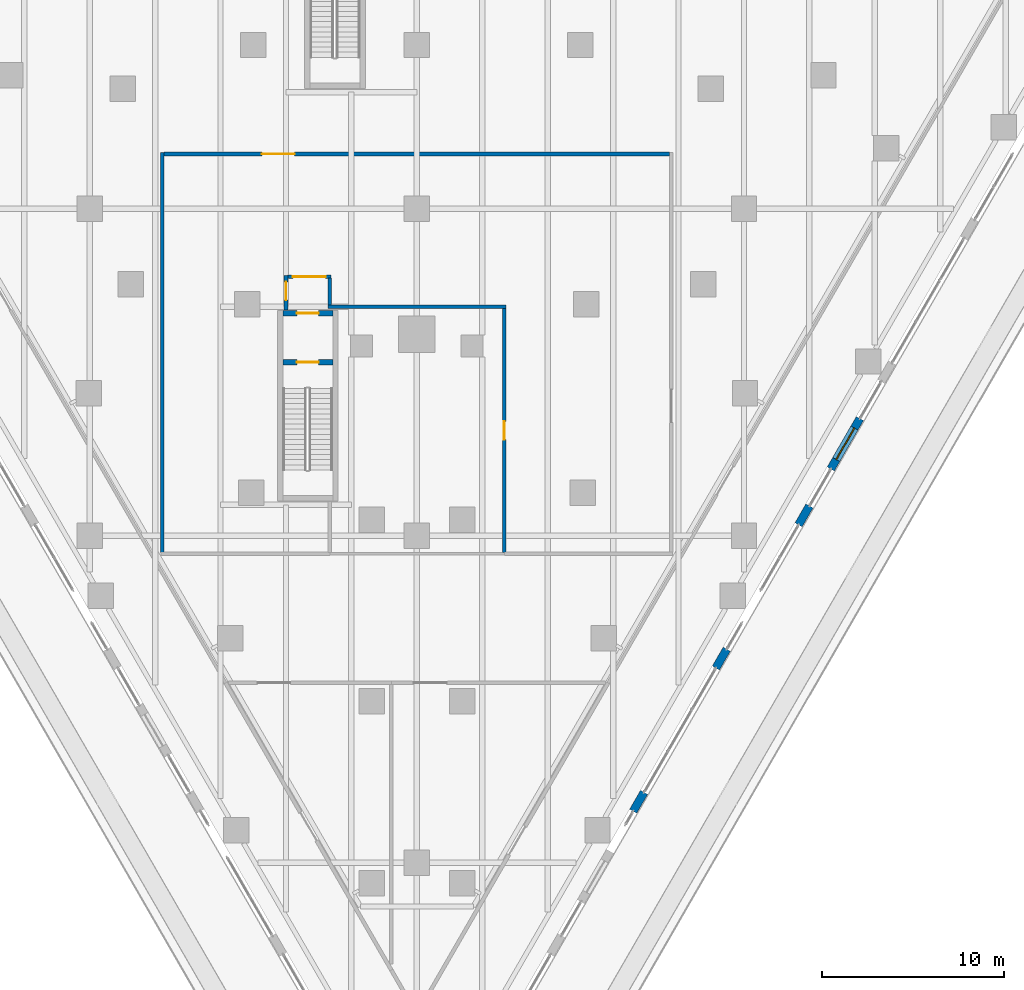
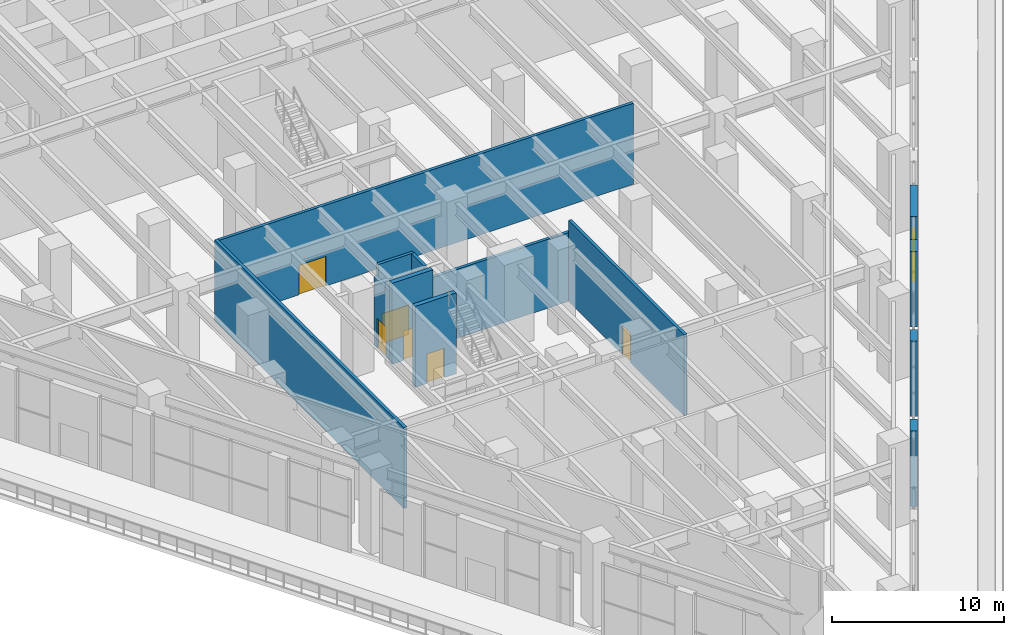
# One storey, part 29 of 40: 13 walls, 7 doors, 7 openings.
"""IFC4 building model written with IfcOpenShell, lengths in metres."""

from ifc_helpers import new_model, si_unit, direction, frame, frame_2d, origin, place, context, subcontext, project, spatial, rectangle, extrude, material, layer, layer_set, type_object, element, fill, save


model = new_model("IFC4")

# Units and contexts
model_context = context("Model", 3, precision=1e-05, world=origin(), true_north=direction((0.0, 1.0)))
body_context = subcontext(model_context, "Body", "Model", "MODEL_VIEW")
ifc_project = project(units=[si_unit("LENGTHUNIT", "METRE"), si_unit("AREAUNIT", "SQUARE_METRE"), si_unit("VOLUMEUNIT", "CUBIC_METRE"), si_unit("PLANEANGLEUNIT", "RADIAN"), si_unit("MASSUNIT", "GRAM", prefix="KILO")], contexts=[model_context])

# Site, building, storey
site_placement = place(None, origin())
site = spatial("IfcSite", under=ifc_project, at=site_placement, CompositionType="ELEMENT")
building_placement = place(site_placement, origin())
building = spatial("IfcBuilding", under=site, at=building_placement, Name="Aloe Facet Convention Tower", CompositionType="ELEMENT")
storey_placement = place(building_placement, frame((0.0, 0.0, 13.5)))
storey = spatial("IfcBuildingStorey", under=building, at=storey_placement, Name="L02", CompositionType="ELEMENT", Elevation=13.5)

# Wall, opening, door
ifc_material_1 = material(Name="Concrete C50/60", Category="concrete")
ifc_layer_1 = layer(ifc_material_1, 0.300048828125)
ifc_layer_set_1 = layer_set([ifc_layer_1], Name="CR-W-RC300-C5060")
wall_type_1 = type_object("IfcWallType", Name="CR-W-RC300-C5060", PredefinedType="SOLIDWALL", material=ifc_layer_set_1)
wall_1_placement = place(storey_placement, frame((72.625, 90.550048828125, 0.0), z_axis=(0.0, 0.0, 1.0), x_axis=(1.0, 0.0, 0.0)))
wall_1 = element("IfcWall", 1, at=wall_1_placement, inside=storey, type_object=wall_type_1, Name="Exit stair wall L02-04", PredefinedType="SOLIDWALL", context=body_context, shape_type="SweptSolid", body=[
    extrude(rectangle(XDim=2.75, YDim=0.300048828125, at=frame_2d((1.375, 0.0))), origin(), (0.0, 0.0, 1.0), 5.75),
])
opening_1_placement = place(wall_1_placement, frame((0.77490234375, 0.0, 0.0)))
opening_1 = element("IfcOpeningElement", 2, at=opening_1_placement, cuts=wall_1, Name="Opening L02-ST4-01", PredefinedType="OPENING", context=body_context, shape_type="SweptSolid", body=[
    extrude(rectangle(XDim=1.199951171875, YDim=2.10009765625, at=frame_2d((0.60009765625, 1.050048828125))), frame((0.0, 0.16015625, 0.0), z_axis=(0.0, -1.0, 0.0), x_axis=(1.0, 0.0, 0.0)), (0.0, 0.0, 1.0), 0.320068359375),
])
ifc_material_2 = material(Name="Steel fire-resisting door set FD120", Category="steel")
door_type_1 = type_object("IfcDoorType", Name="CR-D-STAIR-1200-FD120-SLEFT", OperationType="SINGLE_SWING_LEFT", PredefinedType="DOOR", material=ifc_material_2)
door_1_placement = place(opening_1_placement, origin())
door_1 = element("IfcDoor", 3, at=door_1_placement, inside=storey, type_object=door_type_1, Name="Stair door L02-ST4-01", OperationType="SINGLE_SWING_LEFT", OverallHeight=2.10009765625, OverallWidth=1.199951171875, PredefinedType="DOOR", context=body_context, shape_type="SweptSolid", body=[
    extrude(rectangle(XDim=1.199951171875, YDim=2.10009765625, at=frame_2d((0.60009765625, 1.050048828125))), frame((0.0, 0.02490234375, 0.0), z_axis=(0.0, -1.0, 0.0), x_axis=(1.0, 0.0, 0.0)), (0.0, 0.0, 1.0), 0.050048828125),
])
fill(opening_1, door_1)

wall_2_placement = place(storey_placement, frame((72.625, 93.25, 0.0), z_axis=(0.0, 0.0, 1.0), x_axis=(1.0, 0.0, 0.0)))
wall_2 = element("IfcWall", 4, at=wall_2_placement, inside=storey, type_object=wall_type_1, Name="Exit stair wall L02-05", PredefinedType="SOLIDWALL", context=body_context, shape_type="SweptSolid", body=[
    extrude(rectangle(XDim=2.75, YDim=0.300048828125, at=frame_2d((1.375, 0.0))), origin(), (0.0, 0.0, 1.0), 5.75),
])
opening_2_placement = place(wall_2_placement, frame((0.77490234375, 0.0, 0.0)))
opening_2 = element("IfcOpeningElement", 5, at=opening_2_placement, cuts=wall_2, Name="Opening L02-ST4-02", PredefinedType="OPENING", context=body_context, shape_type="SweptSolid", body=[
    extrude(rectangle(XDim=1.199951171875, YDim=2.10009765625, at=frame_2d((0.60009765625, 1.050048828125))), frame((0.0, 0.16015625, 0.0), z_axis=(0.0, -1.0, 0.0), x_axis=(1.0, 0.0, 0.0)), (0.0, 0.0, 1.0), 0.320068359375),
])
ifc_material_3 = material(Name="Steel fire-resisting door set FD60", Category="steel")
door_type_2 = type_object("IfcDoorType", Name="CR-D-EXIT-1200-FD60-SRIGHT", OperationType="SINGLE_SWING_RIGHT", PredefinedType="DOOR", material=ifc_material_3)
door_2_placement = place(opening_2_placement, origin())
door_2 = element("IfcDoor", 6, at=door_2_placement, inside=storey, type_object=door_type_2, Name="Stair lobby door L02-ST4-02", OperationType="SINGLE_SWING_RIGHT", OverallHeight=2.10009765625, OverallWidth=1.199951171875, PredefinedType="DOOR", context=body_context, shape_type="SweptSolid", body=[
    extrude(rectangle(XDim=1.199951171875, YDim=2.10009765625, at=frame_2d((0.60009765625, 1.050048828125))), frame((0.0, 0.02490234375, 0.0), z_axis=(0.0, -1.0, 0.0), x_axis=(1.0, 0.0, 0.0)), (0.0, 0.0, 1.0), 0.050048828125),
])
fill(opening_2, door_2)

# Walls
ifc_material_4 = material(Name="Precast concrete C40/50", Category="concrete")
ifc_layer_2 = layer(ifc_material_4, 0.449951171875)
ifc_layer_set_2 = layer_set([ifc_layer_2], Name="EV-WALL-STONE")
wall_type_2 = type_object("IfcWallType", Name="EV-WALL-STONE", PredefinedType="SOLIDWALL", material=ifc_layer_set_2)
wall_3_placement = place(storey_placement, frame((91.904052734375, 65.8388671875, -0.300048828125), z_axis=(0.0, 0.0, 1.0), x_axis=(0.499969057507, 0.866043267704, 0.0)))
element("IfcWall", 7, at=wall_3_placement, inside=storey, type_object=wall_type_2, Name="PW-L02-E05", PredefinedType="SOLIDWALL", context=body_context, shape_type="SweptSolid", body=[
    extrude(rectangle(XDim=1.19970703125, YDim=0.449951171875, at=frame_2d((0.599853515625, 0.0))), origin(), (0.0, 0.0, 1.0), 5.362548828125),
])
for number, where, z_axis, x_axis, name in (
    (8, (96.453369140625, 73.718505859375, -0.300048828125), (0.0, 0.0, 1.0), (0.500033551112, 0.866006032174, 0.0), "PW-L02-E07"),
    (9, (101.002685546875, 81.598388671875, -0.300048828125), (0.0, 0.0, 1.0), (0.500033551112, 0.866006032174, 0.0), "PW-L02-E09"),
):
    element("IfcWall", number, at=place(storey_placement, frame(where, z_axis=z_axis, x_axis=x_axis)), inside=storey, type_object=wall_type_2, Name=name, PredefinedType="SOLIDWALL", context=body_context, shape_type="SweptSolid", body=[
        extrude(rectangle(XDim=1.2001953125, YDim=0.449951171875, at=frame_2d((0.60009765625, 0.0))), origin(), (0.0, 0.0, 1.0), 5.362548828125),
    ])

# Wall, opening, door
wall_4_placement = place(storey_placement, frame((102.77734375, 84.672119140625, -0.300048828125), z_axis=(0.0, 0.0, 1.0), x_axis=(0.499995408039, 0.866028054938, 0.0)))
wall_4 = element("IfcWall", 10, at=wall_4_placement, inside=storey, type_object=wall_type_2, Name="PW-L02-E10", PredefinedType="SOLIDWALL", context=body_context, shape_type="SweptSolid", body=[
    extrude(rectangle(XDim=3.2001953125, YDim=0.449951171875, at=frame_2d((1.60009765625, 0.0))), origin(), (0.0, 0.0, 1.0), 5.362548828125),
])
opening_3_placement = place(wall_4_placement, frame((0.60009765625, 0.0, 0.300048828125)))
opening_3 = element("IfcOpeningElement", 11, at=opening_3_placement, cuts=wall_4, Name="Opening D-L02-E10", PredefinedType="OPENING", context=body_context, shape_type="SweptSolid", body=[
    extrude(rectangle(XDim=2.0, YDim=2.39990234375, at=frame_2d((1.0, 1.199951171875))), frame((0.0, 0.23486328125, 0.0), z_axis=(0.0, -1.0, 0.0), x_axis=(1.0, 0.0, 0.0)), (0.0, 0.0, 1.0), 0.469970703125),
])
ifc_material_5 = material(Name="Aluminium frame, clear double glazing", Category="aluminium")
door_type_3 = type_object("IfcDoorType", Name="EV-DOOR-HALL", OperationType="DOUBLE_DOOR_SINGLE_SWING", PredefinedType="DOOR", material=ifc_material_5)
door_3_placement = place(opening_3_placement, origin())
door_3 = element("IfcDoor", 12, at=door_3_placement, inside=storey, type_object=door_type_3, Name="D-L02-E10", OperationType="DOUBLE_DOOR_SINGLE_SWING", OverallHeight=2.39990234375, OverallWidth=2.0, PredefinedType="DOOR", context=body_context, shape_type="SweptSolid", body=[
    extrude(rectangle(XDim=2.0, YDim=2.39990234375, at=frame_2d((1.0, 1.199951171875))), frame((0.0, 0.02490234375, 0.0), z_axis=(0.0, -1.0, 0.0), x_axis=(1.0, 0.0, 0.0)), (0.0, 0.0, 1.0), 0.050048828125),
])
fill(opening_3, door_3)

ifc_material_6 = material(Name="Masonry blockwork wall, plastered", Category="masonry")
ifc_layer_3 = layer(ifc_material_6, 0.199951171875)
ifc_layer_set_3 = layer_set([ifc_layer_3], Name="IN-POD-W-ASSY")
wall_type_3 = type_object("IfcWallType", Name="IN-POD-W-ASSY", PredefinedType="PARTITIONING", material=ifc_layer_set_3)
wall_5_placement = place(storey_placement, frame((72.800048828125, 93.419921875, 0.0), z_axis=(0.0, 0.0, 1.0), x_axis=(0.0, 1.0, 0.0)))
wall_5 = element("IfcWall", 13, at=wall_5_placement, inside=storey, type_object=wall_type_3, Name="Partition L02-W014", PredefinedType="PARTITIONING", context=body_context, shape_type="SweptSolid", body=[
    extrude(rectangle(XDim=1.905029296875, YDim=0.199951171875, at=frame_2d((0.95263671875, 0.0))), origin(), (0.0, 0.0, 1.0), 4.88916015625),
])
opening_4_placement = place(wall_5_placement, frame((0.5439453125, 0.0, 0.0)))
opening_4 = element("IfcOpeningElement", 14, at=opening_4_placement, cuts=wall_5, Name="Opening L02-013", PredefinedType="OPENING", context=body_context, shape_type="SweptSolid", body=[
    extrude(rectangle(XDim=1.0, YDim=2.10009765625, at=frame_2d((0.5, 1.050048828125))), frame((0.0, 0.10986328125, 0.0), z_axis=(0.0, -1.0, 0.0), x_axis=(1.0, 0.0, 0.0)), (0.0, 0.0, 1.0), 0.219970703125),
])
ifc_material_7 = material(Name="Hardwood flush door", Category="wood")
door_type_4 = type_object("IfcDoorType", Name="IN-POD-D-WIDE", OperationType="SINGLE_SWING_LEFT", PredefinedType="DOOR", material=ifc_material_7)
door_4_placement = place(opening_4_placement, origin())
door_4 = element("IfcDoor", 15, at=door_4_placement, inside=storey, type_object=door_type_4, Name="Door L02-013", OperationType="SINGLE_SWING_LEFT", OverallHeight=2.10009765625, OverallWidth=1.0, PredefinedType="DOOR", context=body_context, shape_type="SweptSolid", body=[
    extrude(rectangle(XDim=1.0, YDim=2.10009765625, at=frame_2d((0.5, 1.050048828125))), frame((0.0, 0.02490234375, 0.0), z_axis=(0.0, -1.0, 0.0), x_axis=(1.0, 0.0, 0.0)), (0.0, 0.0, 1.0), 0.050048828125),
])
fill(opening_4, door_4)

# Wall
wall_6_placement = place(storey_placement, frame((75.125, 93.60009765625, 0.0), z_axis=(0.0, 0.0, 1.0), x_axis=(1.0, 0.0, 0.0)))
element("IfcWall", 16, at=wall_6_placement, inside=storey, type_object=wall_type_3, Name="Partition L02-W016", PredefinedType="PARTITIONING", context=body_context, shape_type="SweptSolid", body=[
    extrude(rectangle(XDim=9.77490234375, YDim=0.199951171875, at=frame_2d((4.887451171875, 0.0))), origin(), (0.0, 0.0, 1.0), 4.88916015625),
])

# Wall, opening, door
wall_7_placement = place(storey_placement, frame((84.81005859375, 80.0849609375, 0.0), z_axis=(0.0, 0.0, 1.0), x_axis=(-0.000746159798, 0.999999721623, 0.0)))
wall_7 = element("IfcWall", 17, at=wall_7_placement, inside=storey, type_object=wall_type_3, Name="Partition L02-W017", PredefinedType="PARTITIONING", context=body_context, shape_type="SweptSolid", body=[
    extrude(rectangle(XDim=13.4150390625, YDim=0.199951171875, at=frame_2d((6.70751953125, 0.0))), origin(), (0.0, 0.0, 1.0), 5.75),
])
opening_5_placement = place(wall_7_placement, frame((6.20751953125, 0.0, 0.0)))
opening_5 = element("IfcOpeningElement", 18, at=opening_5_placement, cuts=wall_7, Name="Opening L02-015", PredefinedType="OPENING", context=body_context, shape_type="SweptSolid", body=[
    extrude(rectangle(XDim=1.0, YDim=2.10009765625, at=frame_2d((0.5, 1.050048828125))), frame((0.0, 0.10986328125, 0.0), z_axis=(0.0, -1.0, 0.0), x_axis=(1.0, 0.0, 0.0)), (0.0, 0.0, 1.0), 0.219970703125),
])
ifc_material_8 = material(Name="Steel flush door, galvanised", Category="steel")
door_type_5 = type_object("IfcDoorType", Name="IN-POD-D-PLANT", OperationType="SINGLE_SWING_LEFT", PredefinedType="DOOR", material=ifc_material_8)
door_5_placement = place(opening_5_placement, origin())
door_5 = element("IfcDoor", 19, at=door_5_placement, inside=storey, type_object=door_type_5, Name="Door L02-015", OperationType="SINGLE_SWING_LEFT", OverallHeight=2.10009765625, OverallWidth=1.0, PredefinedType="DOOR", context=body_context, shape_type="SweptSolid", body=[
    extrude(rectangle(XDim=1.0, YDim=2.10009765625, at=frame_2d((0.5, 1.050048828125))), frame((0.0, 0.02490234375, 0.0), z_axis=(0.0, -1.0, 0.0), x_axis=(1.0, 0.0, 0.0)), (0.0, 0.0, 1.0), 0.050048828125),
])
fill(opening_5, door_5)

wall_8_placement = place(storey_placement, frame((72.885009765625, 95.25, 0.0), z_axis=(0.0, 0.0, 1.0), x_axis=(1.0, 0.0, 0.0)))
wall_8 = element("IfcWall", 20, at=wall_8_placement, inside=storey, type_object=wall_type_3, Name="Partition L02-W018", PredefinedType="PARTITIONING", context=body_context, shape_type="SweptSolid", body=[
    extrude(rectangle(XDim=2.389892578125, YDim=0.199951171875, at=frame_2d((1.19482421875, 0.0))), origin(), (0.0, 0.0, 1.0), 5.75),
])
opening_6_placement = place(wall_8_placement, frame((0.294921875, 0.0, 0.0)))
opening_6 = element("IfcOpeningElement", 21, at=opening_6_placement, cuts=wall_8, Name="Opening L02-011", PredefinedType="OPENING", context=body_context, shape_type="SweptSolid", body=[
    extrude(rectangle(XDim=1.800048828125, YDim=2.10009765625, at=frame_2d((0.89990234375, 1.050048828125))), frame((0.0, 0.10986328125, 0.0), z_axis=(0.0, -1.0, 0.0), x_axis=(1.0, 0.0, 0.0)), (0.0, 0.0, 1.0), 0.219970703125),
])
ifc_material_9 = material(Name="Hardwood flush door pair", Category="wood")
door_type_6 = type_object("IfcDoorType", Name="IN-POD-D-PAIR", OperationType="DOUBLE_DOOR_SINGLE_SWING", PredefinedType="DOOR", material=ifc_material_9)
door_6_placement = place(opening_6_placement, origin())
door_6 = element("IfcDoor", 22, at=door_6_placement, inside=storey, type_object=door_type_6, Name="Door L02-011", OperationType="SINGLE_SWING_LEFT", OverallHeight=2.10009765625, OverallWidth=1.800048828125, PredefinedType="DOOR", context=body_context, shape_type="SweptSolid", body=[
    extrude(rectangle(XDim=1.800048828125, YDim=2.10009765625, at=frame_2d((0.89990234375, 1.050048828125))), frame((0.0, 0.02490234375, 0.0), z_axis=(0.0, -1.0, 0.0), x_axis=(1.0, 0.0, 0.0)), (0.0, 0.0, 1.0), 0.050048828125),
])
fill(opening_6, door_6)

# Walls
wall_9_placement = place(storey_placement, frame((75.199951171875, 93.699951171875, 0.0), z_axis=(0.0, 0.0, 1.0), x_axis=(0.0, 1.0, 0.0)))
element("IfcWall", 23, at=wall_9_placement, inside=storey, type_object=wall_type_3, Name="Partition L02-W019", PredefinedType="PARTITIONING", context=body_context, shape_type="SweptSolid", body=[
    extrude(rectangle(XDim=1.465087890625, YDim=0.199951171875, at=frame_2d((0.732421875, 0.0))), origin(), (0.0, 0.0, 1.0), 5.75),
])
wall_10_placement = place(storey_placement, frame((66.00048828125, 80.0849609375, 0.0), z_axis=(0.0, 0.0, 1.0), x_axis=(-2.2205198e-05, 0.999999999753, 0.0)))
element("IfcWall", 24, at=wall_10_placement, inside=storey, type_object=wall_type_3, Name="Partition L02-W020", PredefinedType="PARTITIONING", context=body_context, shape_type="SweptSolid", body=[
    extrude(rectangle(XDim=21.989501953125, YDim=0.199951171875, at=frame_2d((10.99462890625, 0.0))), origin(), (0.0, 0.0, 1.0), 5.75),
])

# Wall, opening, door
wall_11_placement = place(storey_placement, frame((66.0849609375, 101.99951171875, 0.0), z_axis=(0.0, 0.0, 1.0), x_axis=(1.0, 0.0, 0.0)))
wall_11 = element("IfcWall", 25, at=wall_11_placement, inside=storey, type_object=wall_type_3, Name="Partition L02-W021", PredefinedType="PARTITIONING", context=body_context, shape_type="SweptSolid", body=[
    extrude(rectangle(XDim=27.830078125, YDim=0.199951171875, at=frame_2d((13.9150390625, 0.0))), origin(), (0.0, 0.0, 1.0), 5.75),
])
opening_7_placement = place(wall_11_placement, frame((5.385986328125, 0.0, 0.0)))
opening_7 = element("IfcOpeningElement", 26, at=opening_7_placement, cuts=wall_11, Name="Opening L02-012", PredefinedType="OPENING", context=body_context, shape_type="SweptSolid", body=[
    extrude(rectangle(XDim=1.800048828125, YDim=2.10009765625, at=frame_2d((0.89990234375, 1.050048828125))), frame((0.0, 0.10986328125, 0.0), z_axis=(0.0, -1.0, 0.0), x_axis=(1.0, 0.0, 0.0)), (0.0, 0.0, 1.0), 0.219970703125),
])
door_7_placement = place(opening_7_placement, origin())
door_7 = element("IfcDoor", 27, at=door_7_placement, inside=storey, type_object=door_type_6, Name="Door L02-012", OperationType="SINGLE_SWING_LEFT", OverallHeight=2.10009765625, OverallWidth=1.800048828125, PredefinedType="DOOR", context=body_context, shape_type="SweptSolid", body=[
    extrude(rectangle(XDim=1.800048828125, YDim=2.10009765625, at=frame_2d((0.89990234375, 1.050048828125))), frame((0.0, 0.02490234375, 0.0), z_axis=(0.0, -1.0, 0.0), x_axis=(1.0, 0.0, 0.0)), (0.0, 0.0, 1.0), 0.050048828125),
])
fill(opening_7, door_7)

save(model, "model.ifc")
